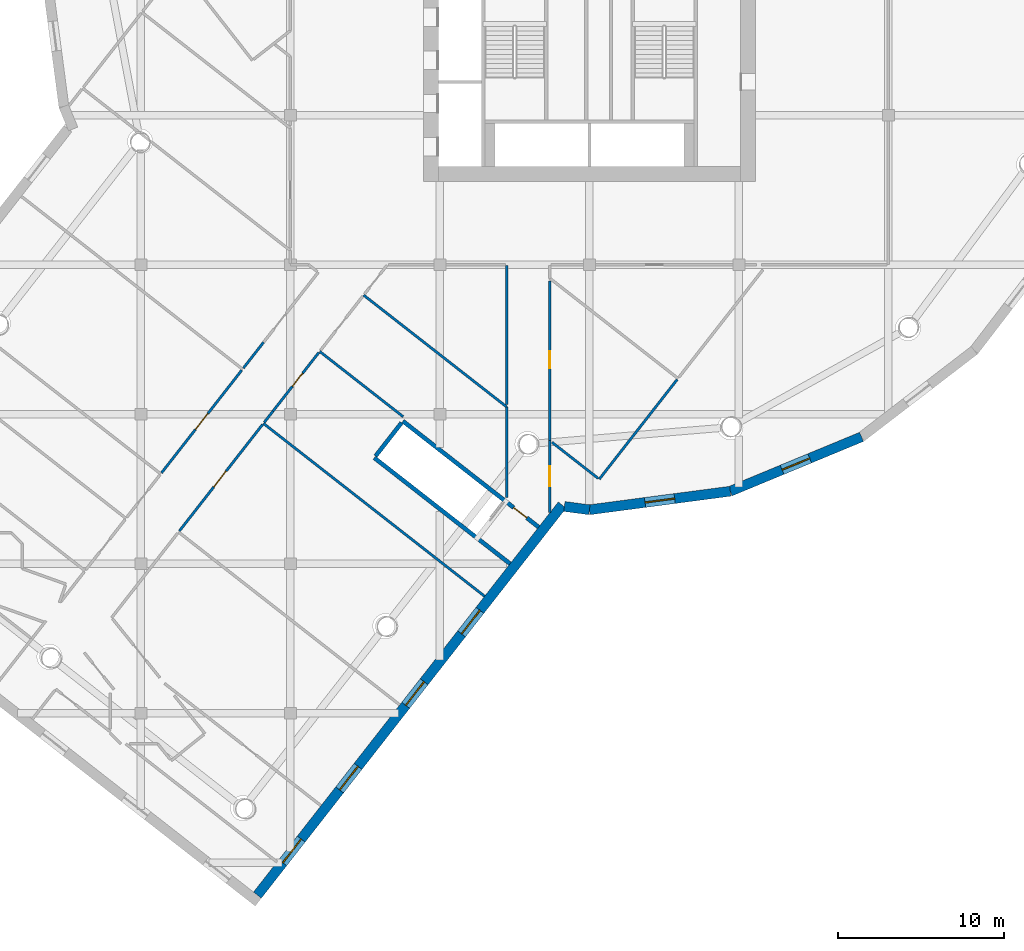
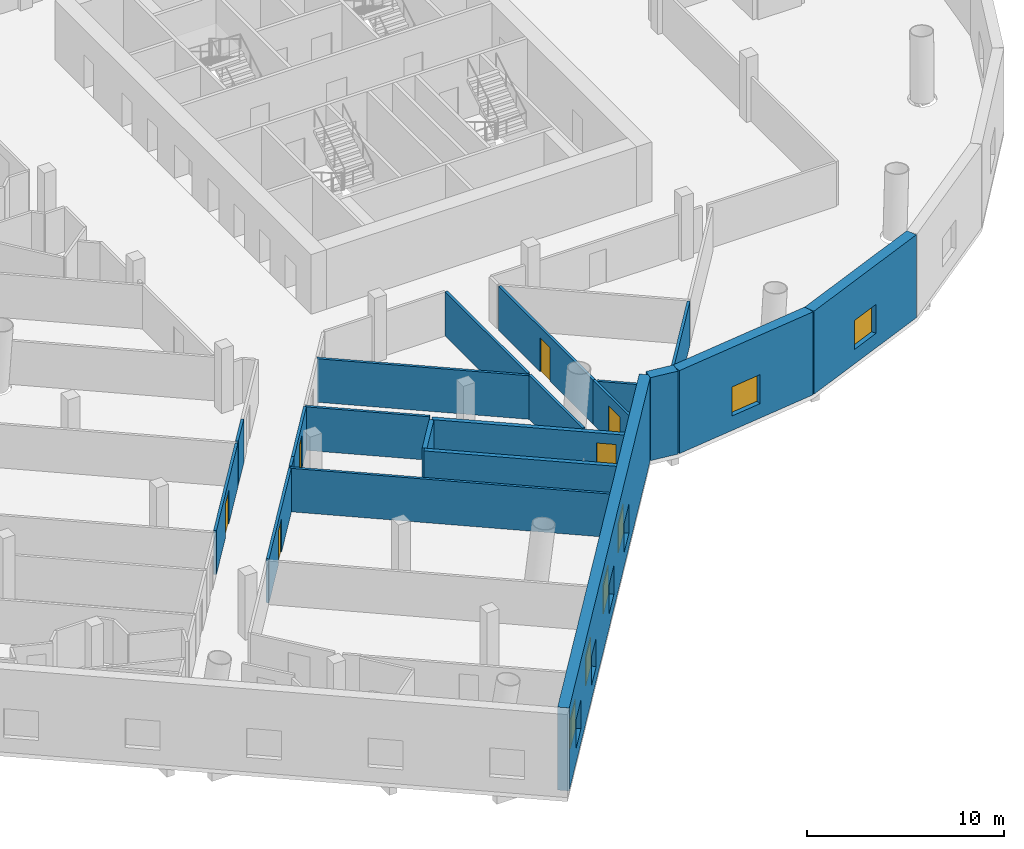
# One storey, part 5 of 15: 21 walls, 6 doors, 6 windows, 12 openings.
"""IFC4 building model written with IfcOpenShell, lengths in metres."""

import ifcopenshell
import ifcopenshell.guid

model = None  # the IFC model being written
_history = None  # IfcOwnerHistory: only IFC2X3 demands one
_inside = {}  # id of a spatial element -> (the spatial element, [elements in it])
_under = {}  # id of a project, library or spatial element -> (it, [spatial elements below it])
_declared = {}  # id of a project -> (the project, [libraries it declares])
_typed = {}  # id of a type object -> (the type object, [elements of that type])
_made_of = {}  # id of a material, layer set ... -> (it, [elements and type objects made of it])


def new_model(schema):
    """Start an empty IFC model of exactly this schema.

    Asked for "IFC4X3", IfcOpenShell would pick the latest addendum, in which some entities
    have other attributes; the version numbers below select the first issue.
    IFC2X3 requires an IfcOwnerHistory on every rooted entity: one is made here for all.
    """
    global model, _history
    if schema == "IFC4X3":
        model = ifcopenshell.file(schema_version=(4, 3, 0, 0))
    else:
        model = ifcopenshell.file(schema=schema)
    _inside.clear()
    _under.clear()
    _declared.clear()
    _typed.clear()
    _made_of.clear()
    _history = None
    if model.schema == "IFC2X3":
        org = make("IfcOrganization", Name="unknown")
        user = make(
            "IfcPersonAndOrganization",
            ThePerson=make("IfcPerson", FamilyName="unknown"),
            TheOrganization=org,
        )
        app = make(
            "IfcApplication",
            ApplicationDeveloper=org,
            Version="unknown",
            ApplicationFullName="unknown",
            ApplicationIdentifier="unknown",
        )
        _history = make(
            "IfcOwnerHistory",
            OwningUser=user,
            OwningApplication=app,
            ChangeAction="ADDED",
            CreationDate=0,
        )
    return model


def make(cls, **values):
    """One entity of the class cls with the attributes given. An attribute that is None is left unset."""
    return model.create_entity(
        cls, **{name: value for name, value in values.items() if value is not None}
    )


def rooted(cls, **values):
    """An entity with a GlobalId (a new one), such as an element, a storey or a relation."""
    return make(cls, GlobalId=ifcopenshell.guid.new(), OwnerHistory=_history, **values)


def si_unit(unit_type, name, prefix=None):
    """IfcSIUnit, for example si_unit("LENGTHUNIT", "METRE", prefix="MILLI")."""
    return make("IfcSIUnit", UnitType=unit_type, Prefix=prefix, Name=name)


def assignment(units):
    """IfcUnitAssignment: the units of a project."""
    return None if units is None else make("IfcUnitAssignment", Units=units)


def point(xyz):
    """IfcCartesianPoint."""
    return None if xyz is None else make("IfcCartesianPoint", Coordinates=xyz)


def direction(xyz):
    """IfcDirection."""
    return None if xyz is None else make("IfcDirection", DirectionRatios=xyz)


def frame(location, z_axis=None, x_axis=None):
    """IfcAxis2Placement3D, a coordinate frame: its origin and axes. An axis left out is left unset."""
    return make(
        "IfcAxis2Placement3D",
        Location=point(location),
        Axis=direction(z_axis),
        RefDirection=direction(x_axis),
    )


def frame_2d(location, x_axis=None):
    """IfcAxis2Placement2D, a coordinate frame in the plane: its origin and x axis."""
    return make(
        "IfcAxis2Placement2D", Location=point(location), RefDirection=direction(x_axis)
    )


def origin():
    """The frame at (0, 0, 0) with its axes left unset."""
    return frame((0.0, 0.0, 0.0))


def place(relative_to, where):
    """IfcLocalPlacement: puts the frame where relative to a parent placement (None: the world)."""
    return make(
        "IfcLocalPlacement", PlacementRelTo=relative_to, RelativePlacement=where
    )


def context(
    kind, dimensions, precision=None, world=None, true_north=None, identifier=None
):
    """IfcGeometricRepresentationContext, for example the 3D "Model" context."""
    return make(
        "IfcGeometricRepresentationContext",
        ContextIdentifier=identifier,
        ContextType=kind,
        CoordinateSpaceDimension=dimensions,
        Precision=precision,
        WorldCoordinateSystem=world,
        TrueNorth=true_north,
    )


def subcontext(parent, identifier, kind, view, scale=None):
    """IfcGeometricRepresentationSubContext, for example "Body" below "Model"."""
    return make(
        "IfcGeometricRepresentationSubContext",
        ContextIdentifier=identifier,
        ContextType=kind,
        ParentContext=parent,
        TargetScale=scale,
        TargetView=view,
    )


def project(units=None, contexts=None):
    """IfcProject with its units and contexts."""
    return rooted(
        "IfcProject",
        Name="project",
        RepresentationContexts=contexts,
        UnitsInContext=assignment(units),
    )


def spatial(cls, under=None, at=None, **own):
    """A site, building, storey or space (cls), placed at a placement, below another one or the project."""
    s = rooted(cls, ObjectPlacement=at, **own)
    if under is not None:
        _under.setdefault(under.id(), (under, []))[1].append(s)
    return s


def profile(cls, at=None, kind="AREA", **sizes):
    """A parametric profile (cls). Its sizes go by their IFC names, for example OverallWidth=200.0."""
    return make(cls, ProfileType=kind, Position=at, **sizes)


def rectangle(**sizes):
    """IfcRectangleProfileDef."""
    return profile("IfcRectangleProfileDef", **sizes)


def extrude(swept, where, along, depth):
    """IfcExtrudedAreaSolid: the profile swept, set in the frame where, extruded along a direction by depth."""
    return make(
        "IfcExtrudedAreaSolid",
        SweptArea=swept,
        Position=where,
        ExtrudedDirection=direction(along),
        Depth=depth,
    )


def shape(context_of_items, identifier, shape_type, items):
    """IfcShapeRepresentation: the items that make up one representation, for example the "Body"."""
    return make(
        "IfcShapeRepresentation",
        ContextOfItems=context_of_items,
        RepresentationIdentifier=identifier,
        RepresentationType=shape_type,
        Items=items,
    )


def material(Name=None, Category=None):
    """IfcMaterial."""
    return make("IfcMaterial", Name=Name, Category=Category)


def layer(
    of_material, thickness, ventilated=None, Name=None, Category=None, Priority=None
):
    """IfcMaterialLayer: one layer of a wall or slab, of a material (None: an air gap)."""
    return make(
        "IfcMaterialLayer",
        Material=of_material,
        LayerThickness=thickness,
        IsVentilated=ventilated,
        Name=Name,
        Category=Category,
        Priority=Priority,
    )


def layer_set(layers, Name=None):
    """IfcMaterialLayerSet."""
    return make("IfcMaterialLayerSet", MaterialLayers=layers, LayerSetName=Name)


def made_of(thing, what):
    """Note that an element or type object is made of a material, layer set ...; save() writes the relation."""
    if what is not None:
        _made_of.setdefault(what.id(), (what, []))[1].append(thing)
    return thing


def type_object(cls, material=None, **own):
    """A type object (cls), such as IfcWallType, which elements share."""
    return made_of(rooted(cls, **own), material)


def element(
    cls,
    number,
    at=None,
    inside=None,
    cuts=None,
    type_object=None,
    material=None,
    context=None,
    identifier="Body",
    shape_type=None,
    held_by="IfcProductDefinitionShape",
    body=None,
    shapes=None,
    **own,
):
    """One element of the class cls, such as IfcWall. Its Tag is "e" and its number.

    at: its placement. inside: the storey or other place that contains it. cuts: it is an
    opening in that element (IfcRelVoidsElement). A single representation is given by context,
    identifier, shape_type and body (its items); several are given by shapes. held_by: the class
    of the entity that holds the representations. save() writes the other relations.
    """
    e = rooted(cls, Tag="e%d" % number, ObjectPlacement=at, **own)
    if body is not None:
        shapes = [shape(context, identifier, shape_type, body)]
    if shapes is not None:
        e.Representation = make(held_by, Representations=shapes)
    if inside is not None:
        _inside.setdefault(inside.id(), (inside, []))[1].append(e)
    if cuts is not None:
        rooted(
            "IfcRelVoidsElement", RelatingBuildingElement=cuts, RelatedOpeningElement=e
        )
    if type_object is not None:
        _typed.setdefault(type_object.id(), (type_object, []))[1].append(e)
    return made_of(e, material)


def fill(opening, filler):
    """IfcRelFillsElement: the door or window that sits in an opening."""
    return rooted(
        "IfcRelFillsElement",
        RelatingOpeningElement=opening,
        RelatedBuildingElement=filler,
    )


def aggregate(whole, parts):
    """IfcRelAggregates: a whole, such as a stair, and the parts it consists of."""
    return rooted("IfcRelAggregates", RelatingObject=whole, RelatedObjects=parts)


def save(model, path):
    """Write the relations noted so far, then the file.

    IfcRelAggregates (storeys below a building ...), IfcRelContainedInSpatialStructure (elements
    in a storey), IfcRelDefinesByType, IfcRelAssociatesMaterial and IfcRelDeclares: one each for
    every whole, place, type object, material and project.
    """
    for whole, parts in _under.values():
        aggregate(whole, parts)
    for where, things in _inside.values():
        rooted(
            "IfcRelContainedInSpatialStructure",
            RelatedElements=things,
            RelatingStructure=where,
        )
    for kind, things in _typed.values():
        rooted("IfcRelDefinesByType", RelatedObjects=things, RelatingType=kind)
    for what, things in _made_of.values():
        rooted("IfcRelAssociatesMaterial", RelatedObjects=things, RelatingMaterial=what)
    for by, libraries in _declared.values():
        rooted("IfcRelDeclares", RelatingContext=by, RelatedDefinitions=libraries)
    model.write(path)


model = new_model("IFC4")

# Units and contexts
model_context = context("Model", 3, precision=1e-05, world=origin(), true_north=direction((0.0, 1.0)))
body_context = subcontext(model_context, "Body", "Model", "MODEL_VIEW")
ifc_project = project(units=[si_unit("LENGTHUNIT", "METRE"), si_unit("AREAUNIT", "SQUARE_METRE"), si_unit("VOLUMEUNIT", "CUBIC_METRE"), si_unit("PLANEANGLEUNIT", "RADIAN"), si_unit("MASSUNIT", "GRAM", prefix="KILO")], contexts=[model_context])

# Site, building, storey
site_placement = place(None, origin())
site = spatial("IfcSite", under=ifc_project, at=site_placement, CompositionType="ELEMENT")
building_placement = place(site_placement, origin())
building = spatial("IfcBuilding", under=site, at=building_placement, Name="Tarsis Ring Headquarters", CompositionType="ELEMENT")
storey_placement = place(building_placement, frame((0.0, 0.0, 30.0)))
storey = spatial("IfcBuildingStorey", under=building, at=storey_placement, Name="L05", CompositionType="ELEMENT", Elevation=30.0)

# Walls
ifc_material_1 = material(Name="Plasterboard partition")
ifc_layer_1 = layer(ifc_material_1, 0.14990234375)
ifc_layer_set_1 = layer_set([ifc_layer_1], Name="PO-PW150")
wall_type_1 = type_object("IfcWallType", Name="PO-PW150", PredefinedType="PARTITIONING", material=ifc_layer_set_1)
wall_1_placement = place(storey_placement, frame((-19.62744140625, -27.558349609375, 0.0), z_axis=(0.0, 0.0, 1.0), x_axis=(0.788014736946, -0.61565637685, 0.0)))
element("IfcWall", 1, at=wall_1_placement, inside=storey, type_object=wall_type_1, Name="L05 partition wall 3", PredefinedType="PARTITIONING", context=body_context, shape_type="SweptSolid", body=[
    extrude(rectangle(XDim=16.89990234375, YDim=0.14990234375, at=frame_2d((8.449951171875, 0.0))), origin(), (0.0, 0.0, 1.0), 2.699951171875),
])
wall_2_placement = place(storey_placement, frame((-13.59375, -19.835693359375, 0.0), z_axis=(0.0, 0.0, 1.0), x_axis=(0.788011845372, -0.615660077928, 0.0)))
element("IfcWall", 2, at=wall_2_placement, inside=storey, type_object=wall_type_1, Name="L05 partition wall 21", PredefinedType="PARTITIONING", context=body_context, shape_type="SweptSolid", body=[
    extrude(rectangle(XDim=10.931396484375, YDim=0.14990234375, at=frame_2d((5.4658203125, 0.0))), origin(), (0.0, 0.0, 1.0), 2.699951171875),
])
wall_3_placement = place(storey_placement, frame((0.59033203125, -30.917724609375, 0.0), z_axis=(0.0, 0.0, 1.0), x_axis=(0.615667046272, 0.788006401075, 0.0)))
element("IfcWall", 3, at=wall_3_placement, inside=storey, type_object=wall_type_1, Name="L05 partition wall 48", PredefinedType="PARTITIONING", context=body_context, shape_type="SweptSolid", body=[
    extrude(rectangle(XDim=7.6201171875, YDim=0.14990234375, at=frame_2d((3.81005859375, 0.0))), origin(), (0.0, 0.0, 1.0), 2.699951171875),
])
wall_4_placement = place(storey_placement, frame((-11.212890625, -27.15283203125, 0.0), z_axis=(0.0, 0.0, 1.0), x_axis=(-0.787998851046, 0.615676709605, 0.0)))
element("IfcWall", 4, at=wall_4_placement, inside=storey, type_object=wall_type_1, Name="L05 partition wall 56", PredefinedType="PARTITIONING", context=body_context, shape_type="SweptSolid", body=[
    extrude(rectangle(XDim=6.381103515625, YDim=0.14990234375, at=frame_2d((3.1904296875, 0.0))), origin(), (0.0, 0.0, 1.0), 2.699951171875),
])
wall_5_placement = place(storey_placement, frame((-2.253662109375, -28.695556640625, 0.0), z_axis=(0.0, 0.0, 1.0), x_axis=(0.787998153612, -0.615677602243, 0.0)))
element("IfcWall", 5, at=wall_5_placement, inside=storey, type_object=wall_type_1, Name="L05 partition wall 92", PredefinedType="PARTITIONING", context=body_context, shape_type="SweptSolid", body=[
    extrude(rectangle(XDim=3.529296875, YDim=0.14990234375, at=frame_2d((1.7646484375, 0.0))), origin(), (0.0, 0.0, 1.0), 2.699951171875),
])

# Wall, opening, door
ifc_layer_2 = layer(ifc_material_1, 0.14990234375)
ifc_layer_set_2 = layer_set([ifc_layer_2], Name="PO-PW150R-2733")
wall_type_2 = type_object("IfcWallType", Name="PO-PW150R-2733", PredefinedType="PARTITIONING", material=ifc_layer_set_2)
wall_6_placement = place(storey_placement, frame((-2.3798828125, -18.985595703125, 0.0), z_axis=(0.0, 0.0, 1.0), x_axis=(0.0, -1.0, 0.0)))
wall_6 = element("IfcWall", 6, at=wall_6_placement, inside=storey, type_object=wall_type_2, Name="L05 partition wall 34", PredefinedType="PARTITIONING", context=body_context, shape_type="SweptSolid", body=[
    extrude(rectangle(XDim=9.611572265625, YDim=0.14990234375, at=frame_2d((4.8056640625, 0.0))), origin(), (0.0, 0.0, 1.0), 2.73291015625),
])
opening_1_placement = place(wall_6_placement, frame((4.238525390625, 0.0, 0.0)))
opening_1 = element("IfcOpeningElement", 7, at=opening_1_placement, cuts=wall_6, Name="Opening PO-D1", PredefinedType="OPENING", context=body_context, shape_type="SweptSolid", body=[
    extrude(rectangle(XDim=1.0, YDim=2.10009765625, at=frame_2d((0.5, 1.050048828125))), frame((0.0, 0.0849609375, 0.0), z_axis=(0.0, -1.0, 0.0), x_axis=(1.0, 0.0, 0.0)), (0.0, 0.0, 1.0), 0.169921875),
])
ifc_material_2 = material(Name="Timber door", Category="wood")
door_type_1 = type_object("IfcDoorType", Name="PO-D1000", OperationType="NOTDEFINED", PredefinedType="DOOR", material=ifc_material_2)
door_1_placement = place(opening_1_placement, origin())
door_1 = element("IfcDoor", 8, at=door_1_placement, inside=storey, type_object=door_type_1, Name="Women's prayer hall door", OperationType="SINGLE_SWING_LEFT", OverallHeight=2.10009765625, OverallWidth=1.0, PredefinedType="DOOR", context=body_context, shape_type="SweptSolid", body=[
    extrude(rectangle(XDim=1.0, YDim=2.10009765625, at=frame_2d((0.5, 1.050048828125))), frame((0.0, 0.02490234375, 0.0), z_axis=(0.0, -1.0, 0.0), x_axis=(1.0, 0.0, 0.0)), (0.0, 0.0, 1.0), 0.050048828125),
])
fill(opening_1, door_1)

# Wall
wall_7_placement = place(storey_placement, frame((-4.979736328125, -26.40576171875, 0.0), z_axis=(0.0, 0.0, 1.0), x_axis=(0.0, 1.0, 0.0)))
element("IfcWall", 9, at=wall_7_placement, inside=storey, type_object=wall_type_2, Name="L05 partition wall 39", PredefinedType="PARTITIONING", context=body_context, shape_type="SweptSolid", body=[
    extrude(rectangle(XDim=8.36572265625, YDim=0.14990234375, at=frame_2d((4.182861328125, 0.0))), origin(), (0.0, 0.0, 1.0), 2.73291015625),
])

# Wall, opening, door
wall_8_placement = place(storey_placement, frame((-19.676513671875, -27.621337890625, 0.0), z_axis=(0.0, 0.0, 1.0), x_axis=(-0.615666741104, -0.788006639501, 0.0)))
wall_8 = element("IfcWall", 10, at=wall_8_placement, inside=storey, type_object=wall_type_2, Name="L05 partition wall 43", PredefinedType="PARTITIONING", context=body_context, shape_type="SweptSolid", body=[
    extrude(rectangle(XDim=8.139892578125, YDim=0.14990234375, at=frame_2d((4.06982421875, 0.0))), origin(), (0.0, 0.0, 1.0), 2.73291015625),
])
opening_2_placement = place(wall_8_placement, frame((3.570068359375, 0.0, 0.0)))
opening_2 = element("IfcOpeningElement", 11, at=opening_2_placement, cuts=wall_8, Name="Opening PO-D2", PredefinedType="OPENING", context=body_context, shape_type="SweptSolid", body=[
    extrude(rectangle(XDim=1.199951171875, YDim=2.10009765625, at=frame_2d((0.60009765625, 1.050048828125))), frame((0.0, 0.0849609375, 0.0), z_axis=(0.0, -1.0, 0.0), x_axis=(1.0, 0.0, 0.0)), (0.0, 0.0, 1.0), 0.169921875),
])
door_type_2 = type_object("IfcDoorType", Name="PO-D1200", OperationType="NOTDEFINED", PredefinedType="DOOR", material=ifc_material_2)
door_2_placement = place(opening_2_placement, origin())
door_2 = element("IfcDoor", 12, at=door_2_placement, inside=storey, type_object=door_type_2, Name="Men's prayer hall door", OperationType="SINGLE_SWING_RIGHT", OverallHeight=2.10009765625, OverallWidth=1.199951171875, PredefinedType="DOOR", context=body_context, shape_type="SweptSolid", body=[
    extrude(rectangle(XDim=1.199951171875, YDim=2.10009765625, at=frame_2d((0.60009765625, 1.050048828125))), frame((0.0, 0.02490234375, 0.0), z_axis=(0.0, -1.0, 0.0), x_axis=(1.0, 0.0, 0.0)), (0.0, 0.0, 1.0), 0.050048828125),
])
fill(opening_2, door_2)

wall_9_placement = place(storey_placement, frame((-25.75927734375, -30.533935546875, 0.0), z_axis=(0.0, 0.0, 1.0), x_axis=(0.615672443529, 0.788002184184, 0.0)))
wall_9 = element("IfcWall", 13, at=wall_9_placement, inside=storey, type_object=wall_type_2, Name="L05 partition wall 47", PredefinedType="PARTITIONING", context=body_context, shape_type="SweptSolid", body=[
    extrude(rectangle(XDim=7.840087890625, YDim=0.14990234375, at=frame_2d((3.919921875, 0.0))), origin(), (0.0, 0.0, 1.0), 2.73291015625),
])
opening_3_placement = place(wall_9_placement, frame((3.320068359375, 0.0, 0.0)))
opening_3 = element("IfcOpeningElement", 14, at=opening_3_placement, cuts=wall_9, Name="Opening PO-D2", PredefinedType="OPENING", context=body_context, shape_type="SweptSolid", body=[
    extrude(rectangle(XDim=1.199951171875, YDim=2.10009765625, at=frame_2d((0.60009765625, 1.050048828125))), frame((0.0, 0.0849609375, 0.0), z_axis=(0.0, -1.0, 0.0), x_axis=(1.0, 0.0, 0.0)), (0.0, 0.0, 1.0), 0.169921875),
])
door_3_placement = place(opening_3_placement, origin())
door_3 = element("IfcDoor", 15, at=door_3_placement, inside=storey, type_object=door_type_2, Name="Women's prayer hall door", OperationType="SINGLE_SWING_LEFT", OverallHeight=2.10009765625, OverallWidth=1.199951171875, PredefinedType="DOOR", context=body_context, shape_type="SweptSolid", body=[
    extrude(rectangle(XDim=1.199951171875, YDim=2.10009765625, at=frame_2d((0.60009765625, 1.050048828125))), frame((0.0, 0.02490234375, 0.0), z_axis=(0.0, -1.0, 0.0), x_axis=(1.0, 0.0, 0.0)), (0.0, 0.0, 1.0), 0.050048828125),
])
fill(opening_3, door_3)

# Wall
wall_10_placement = place(storey_placement, frame((-4.979736328125, -32.014404296875, 0.0), z_axis=(0.0, 0.0, 1.0), x_axis=(0.0, 1.0, 0.0)))
element("IfcWall", 16, at=wall_10_placement, inside=storey, type_object=wall_type_2, Name="L05 partition wall 67", PredefinedType="PARTITIONING", context=body_context, shape_type="SweptSolid", body=[
    extrude(rectangle(XDim=5.44873046875, YDim=0.14990234375, at=frame_2d((2.724365234375, 0.0))), origin(), (0.0, 0.0, 1.0), 2.73291015625),
])

# Wall, opening, door
wall_11_placement = place(storey_placement, frame((-16.29052734375, -23.287353515625, 0.0), z_axis=(0.0, 0.0, 1.0), x_axis=(-0.615666239032, -0.788007031768, 0.0)))
wall_11 = element("IfcWall", 17, at=wall_11_placement, inside=storey, type_object=wall_type_2, Name="L05 partition wall 75", PredefinedType="PARTITIONING", context=body_context, shape_type="SweptSolid", body=[
    extrude(rectangle(XDim=4.482177734375, YDim=0.14990234375, at=frame_2d((2.2412109375, 0.0))), origin(), (0.0, 0.0, 1.0), 2.73291015625),
])
opening_4_placement = place(wall_11_placement, frame((1.590087890625, 0.0, 0.0)))
opening_4 = element("IfcOpeningElement", 18, at=opening_4_placement, cuts=wall_11, Name="Opening PO-D1", PredefinedType="OPENING", context=body_context, shape_type="SweptSolid", body=[
    extrude(rectangle(XDim=1.0, YDim=2.10009765625, at=frame_2d((0.5, 1.050048828125))), frame((0.0, 0.0849609375, 0.0), z_axis=(0.0, -1.0, 0.0), x_axis=(1.0, 0.0, 0.0)), (0.0, 0.0, 1.0), 0.169921875),
])
door_4_placement = place(opening_4_placement, origin())
door_4 = element("IfcDoor", 19, at=door_4_placement, inside=storey, type_object=door_type_1, Name="Prayer storage door", OperationType="SINGLE_SWING_LEFT", OverallHeight=2.10009765625, OverallWidth=1.0, PredefinedType="DOOR", context=body_context, shape_type="SweptSolid", body=[
    extrude(rectangle(XDim=1.0, YDim=2.10009765625, at=frame_2d((0.5, 1.050048828125))), frame((0.0, 0.02490234375, 0.0), z_axis=(0.0, -1.0, 0.0), x_axis=(1.0, 0.0, 0.0)), (0.0, 0.0, 1.0), 0.050048828125),
])
fill(opening_4, door_4)

wall_12_placement = place(storey_placement, frame((-2.3798828125, -28.598388671875, 0.0), z_axis=(0.0, 0.0, 1.0), x_axis=(0.0, -1.0, 0.0)))
wall_12 = element("IfcWall", 20, at=wall_12_placement, inside=storey, type_object=wall_type_2, Name="L05 partition wall 79", PredefinedType="PARTITIONING", context=body_context, shape_type="SweptSolid", body=[
    extrude(rectangle(XDim=4.334228515625, YDim=0.14990234375, at=frame_2d((2.1669921875, 0.0))), origin(), (0.0, 0.0, 1.0), 2.73291015625),
])
opening_5_placement = place(wall_12_placement, frame((1.548583984375, 0.0, 0.0)))
opening_5 = element("IfcOpeningElement", 21, at=opening_5_placement, cuts=wall_12, Name="Opening PO-D2", PredefinedType="OPENING", context=body_context, shape_type="SweptSolid", body=[
    extrude(rectangle(XDim=1.199951171875, YDim=2.10009765625, at=frame_2d((0.60009765625, 1.050048828125))), frame((0.0, 0.0849609375, 0.0), z_axis=(0.0, -1.0, 0.0), x_axis=(1.0, 0.0, 0.0)), (0.0, 0.0, 1.0), 0.169921875),
])
door_5_placement = place(opening_5_placement, origin())
door_5 = element("IfcDoor", 22, at=door_5_placement, inside=storey, type_object=door_type_2, Name="Chiller room door", OperationType="SINGLE_SWING_RIGHT", OverallHeight=2.10009765625, OverallWidth=1.199951171875, PredefinedType="DOOR", context=body_context, shape_type="SweptSolid", body=[
    extrude(rectangle(XDim=1.199951171875, YDim=2.10009765625, at=frame_2d((0.60009765625, 1.050048828125))), frame((0.0, 0.02490234375, 0.0), z_axis=(0.0, -1.0, 0.0), x_axis=(1.0, 0.0, 0.0)), (0.0, 0.0, 1.0), 0.050048828125),
])
fill(opening_5, door_5)

# Walls
wall_13_placement = place(storey_placement, frame((-20.833984375, -24.229736328125, 0.0), z_axis=(0.0, 0.0, 1.0), x_axis=(0.615696918611, 0.787983060994, 0.0)))
element("IfcWall", 23, at=wall_13_placement, inside=storey, type_object=wall_type_2, Name="L05 partition wall 137", PredefinedType="PARTITIONING", context=body_context, shape_type="SweptSolid", body=[
    extrude(rectangle(XDim=1.97119140625, YDim=0.14990234375, at=frame_2d((0.985595703125, 0.0))), origin(), (0.0, 0.0, 1.0), 2.73291015625),
])
wall_14_placement = place(storey_placement, frame((-19.050048828125, -26.8193359375, 0.0), z_axis=(0.0, 0.0, 1.0), x_axis=(-0.615732424371, -0.787955316994, 0.0)))
element("IfcWall", 24, at=wall_14_placement, inside=storey, type_object=wall_type_2, Name="L05 partition wall 175", PredefinedType="PARTITIONING", context=body_context, shape_type="SweptSolid", body=[
    extrude(rectangle(XDim=0.857666015625, YDim=0.14990234375, at=frame_2d((0.4287109375, 0.0))), origin(), (0.0, 0.0, 1.0), 2.73291015625),
])

# Wall, opening, door
ifc_material_3 = material(Name="Concrete C40/50", Category="concrete")
ifc_layer_3 = layer(ifc_material_3, 0.25)
ifc_layer_set_3 = layer_set([ifc_layer_3], Name="PO-W250")
wall_type_3 = type_object("IfcWallType", Name="PO-W250", PredefinedType="SOLIDWALL", material=ifc_layer_set_3)
wall_15_placement = place(storey_placement, frame((-11.23193359375, -27.41943359375, 0.0), z_axis=(0.0, 0.0, 1.0), x_axis=(0.788273447376, -0.615325094696, 0.0)))
wall_15 = element("IfcWall", 25, at=wall_15_placement, inside=storey, type_object=wall_type_3, Name="L05 shaft wall 24", PredefinedType="SOLIDWALL", context=body_context, shape_type="SweptSolid", body=[
    extrude(rectangle(XDim=10.369873046875, YDim=0.25, at=frame_2d((5.18505859375, 0.0))), origin(), (0.0, 0.0, 1.0), 2.72998046875),
])
opening_6_placement = place(wall_15_placement, frame((8.465087890625, 0.0, 0.0)))
opening_6 = element("IfcOpeningElement", 26, at=opening_6_placement, cuts=wall_15, Name="Opening PO-D3", PredefinedType="OPENING", context=body_context, shape_type="SweptSolid", body=[
    extrude(rectangle(XDim=1.0, YDim=2.10009765625, at=frame_2d((0.5, 1.050048828125))), frame((0.0, 0.135009765625, 0.0), z_axis=(0.0, -1.0, 0.0), x_axis=(1.0, 0.0, 0.0)), (0.0, 0.0, 1.0), 0.27001953125),
])
ifc_material_4 = material(Name="Steel fire door", Category="steel")
door_type_3 = type_object("IfcDoorType", Name="PO-D1000F", OperationType="SINGLE_SWING_LEFT", PredefinedType="DOOR", material=ifc_material_4)
door_6_placement = place(opening_6_placement, origin())
door_6 = element("IfcDoor", 27, at=door_6_placement, inside=storey, type_object=door_type_3, Name="Exit stair 2 door", OperationType="SINGLE_SWING_LEFT", OverallHeight=2.10009765625, OverallWidth=1.0, PredefinedType="DOOR", context=body_context, shape_type="SweptSolid", body=[
    extrude(rectangle(XDim=1.0, YDim=2.10009765625, at=frame_2d((0.5, 1.050048828125))), frame((0.0, 0.02490234375, 0.0), z_axis=(0.0, -1.0, 0.0), x_axis=(1.0, 0.0, 0.0)), (0.0, 0.0, 1.0), 0.050048828125),
])
fill(opening_6, door_6)

# Walls
wall_16_placement = place(storey_placement, frame((-4.781494140625, -36.006591796875, 0.0), z_axis=(0.0, 0.0, 1.0), x_axis=(-0.788283470415, 0.615312254283, 0.0)))
element("IfcWall", 28, at=wall_16_placement, inside=storey, type_object=wall_type_3, Name="L05 shaft wall 26", PredefinedType="SOLIDWALL", context=body_context, shape_type="SweptSolid", body=[
    extrude(rectangle(XDim=10.368408203125, YDim=0.25, at=frame_2d((5.18408203125, 0.0))), origin(), (0.0, 0.0, 1.0), 2.72998046875),
])
wall_17_placement = place(storey_placement, frame((-12.875, -29.524169921875, 0.0), z_axis=(0.0, 0.0, 1.0), x_axis=(0.615343695919, 0.788258926935, 0.0)))
element("IfcWall", 29, at=wall_17_placement, inside=storey, type_object=wall_type_3, Name="L05 shaft wall 112", PredefinedType="SOLIDWALL", context=body_context, shape_type="SweptSolid", body=[
    extrude(rectangle(XDim=2.5400390625, YDim=0.25, at=frame_2d((1.27001953125, 0.0))), origin(), (0.0, 0.0, 1.0), 2.72998046875),
])

# Wall, openings, windows
ifc_material_5 = material(Name="Concrete C60/75", Category="concrete")
ifc_layer_4 = layer(ifc_material_5, 0.60009765625)
ifc_layer_set_4 = layer_set([ifc_layer_4], Name="PO-W600P")
wall_type_4 = type_object("IfcWallType", Name="PO-W600P", PredefinedType="SOLIDWALL", material=ifc_layer_set_4)
wall_18_placement = place(storey_placement, frame((-19.987548828125, -55.956787109375, 0.0), z_axis=(0.0, 0.0, 1.0), x_axis=(0.615659303268, 0.7880124506, 0.0)))
wall_18 = element("IfcWall", 30, at=wall_18_placement, inside=storey, type_object=wall_type_4, Name="L05 external wall 8", PredefinedType="SOLIDWALL", context=body_context, shape_type="SweptSolid", body=[
    extrude(rectangle(XDim=29.802001953125, YDim=0.60009765625, at=frame_2d((14.90087890625, 0.0))), origin(), (0.0, 0.0, 1.0), 5.14990234375),
])
opening_7_placement = place(wall_18_placement, frame((2.480224609375, 0.0, 0.89990234375)))
opening_7 = element("IfcOpeningElement", 31, at=opening_7_placement, cuts=wall_18, Name="Opening PO-WN147", PredefinedType="OPENING", context=body_context, shape_type="SweptSolid", body=[
    extrude(rectangle(XDim=1.800048828125, YDim=1.802978515625, at=frame_2d((0.89990234375, 0.9013671875))), frame((0.0, 0.31005859375, 0.0), z_axis=(0.0, -1.0, 0.0), x_axis=(1.0, 0.0, 0.0)), (0.0, 0.0, 1.0), 0.6201171875),
])
opening_8_placement = place(wall_18_placement, frame((8.04052734375, 0.0, 0.89990234375)))
opening_8 = element("IfcOpeningElement", 32, at=opening_8_placement, cuts=wall_18, Name="Opening PO-WN147", PredefinedType="OPENING", context=body_context, shape_type="SweptSolid", body=[
    extrude(rectangle(XDim=1.800048828125, YDim=1.802978515625, at=frame_2d((0.89990234375, 0.9013671875))), frame((0.0, 0.31005859375, 0.0), z_axis=(0.0, -1.0, 0.0), x_axis=(1.0, 0.0, 0.0)), (0.0, 0.0, 1.0), 0.6201171875),
])
opening_9_placement = place(wall_18_placement, frame((14.5009765625, 0.0, 0.89990234375)))
opening_9 = element("IfcOpeningElement", 33, at=opening_9_placement, cuts=wall_18, Name="Opening PO-WN147", PredefinedType="OPENING", context=body_context, shape_type="SweptSolid", body=[
    extrude(rectangle(XDim=1.800048828125, YDim=1.802978515625, at=frame_2d((0.89990234375, 0.9013671875))), frame((0.0, 0.31005859375, 0.0), z_axis=(0.0, -1.0, 0.0), x_axis=(1.0, 0.0, 0.0)), (0.0, 0.0, 1.0), 0.6201171875),
])
opening_10_placement = place(wall_18_placement, frame((19.96142578125, 0.0, 0.89990234375)))
opening_10 = element("IfcOpeningElement", 34, at=opening_10_placement, cuts=wall_18, Name="Opening PO-WN147", PredefinedType="OPENING", context=body_context, shape_type="SweptSolid", body=[
    extrude(rectangle(XDim=1.800048828125, YDim=1.802978515625, at=frame_2d((0.89990234375, 0.9013671875))), frame((0.0, 0.31005859375, 0.0), z_axis=(0.0, -1.0, 0.0), x_axis=(1.0, 0.0, 0.0)), (0.0, 0.0, 1.0), 0.6201171875),
])
ifc_material_6 = material(Name="Double glazing", Category="glass")
window_type = type_object("IfcWindowType", Name="PO-WN1800-1803", PartitioningType="SINGLE_PANEL", PredefinedType="WINDOW", material=ifc_material_6)
window_1_placement = place(opening_7_placement, origin())
window_1 = element("IfcWindow", 35, at=window_1_placement, inside=storey, type_object=window_type, Name="L05 window 8.1", OverallHeight=1.802978515625, OverallWidth=1.800048828125, PartitioningType="SINGLE_PANEL", PredefinedType="WINDOW", context=body_context, shape_type="SweptSolid", body=[
    extrude(rectangle(XDim=1.800048828125, YDim=1.802978515625, at=frame_2d((0.89990234375, 0.9013671875))), frame((0.0, 0.030029296875, 0.0), z_axis=(0.0, -1.0, 0.0), x_axis=(1.0, 0.0, 0.0)), (0.0, 0.0, 1.0), 0.06005859375),
])
fill(opening_7, window_1)
window_2_placement = place(opening_8_placement, origin())
window_2 = element("IfcWindow", 36, at=window_2_placement, inside=storey, type_object=window_type, Name="L05 window 8.2", OverallHeight=1.802978515625, OverallWidth=1.800048828125, PartitioningType="SINGLE_PANEL", PredefinedType="WINDOW", context=body_context, shape_type="SweptSolid", body=[
    extrude(rectangle(XDim=1.800048828125, YDim=1.802978515625, at=frame_2d((0.89990234375, 0.9013671875))), frame((0.0, 0.030029296875, 0.0), z_axis=(0.0, -1.0, 0.0), x_axis=(1.0, 0.0, 0.0)), (0.0, 0.0, 1.0), 0.06005859375),
])
fill(opening_8, window_2)
window_3_placement = place(opening_9_placement, origin())
window_3 = element("IfcWindow", 37, at=window_3_placement, inside=storey, type_object=window_type, Name="L05 window 8.3", OverallHeight=1.802978515625, OverallWidth=1.800048828125, PartitioningType="SINGLE_PANEL", PredefinedType="WINDOW", context=body_context, shape_type="SweptSolid", body=[
    extrude(rectangle(XDim=1.800048828125, YDim=1.802978515625, at=frame_2d((0.89990234375, 0.9013671875))), frame((0.0, 0.030029296875, 0.0), z_axis=(0.0, -1.0, 0.0), x_axis=(1.0, 0.0, 0.0)), (0.0, 0.0, 1.0), 0.06005859375),
])
fill(opening_9, window_3)
window_4_placement = place(opening_10_placement, origin())
window_4 = element("IfcWindow", 38, at=window_4_placement, inside=storey, type_object=window_type, Name="L05 window 8.4", OverallHeight=1.802978515625, OverallWidth=1.800048828125, PartitioningType="SINGLE_PANEL", PredefinedType="WINDOW", context=body_context, shape_type="SweptSolid", body=[
    extrude(rectangle(XDim=1.800048828125, YDim=1.802978515625, at=frame_2d((0.89990234375, 0.9013671875))), frame((0.0, 0.030029296875, 0.0), z_axis=(0.0, -1.0, 0.0), x_axis=(1.0, 0.0, 0.0)), (0.0, 0.0, 1.0), 0.06005859375),
])
fill(opening_10, window_4)

# Wall
wall_19_placement = place(storey_placement, frame((-1.510498046875, -32.55908203125, 0.0), z_axis=(0.0, 0.0, 1.0), x_axis=(0.991455931764, -0.130442076686, 0.0)))
element("IfcWall", 39, at=wall_19_placement, inside=storey, type_object=wall_type_4, Name="L05 external wall 9", PredefinedType="SOLIDWALL", context=body_context, shape_type="SweptSolid", body=[
    extrude(rectangle(XDim=1.5234375, YDim=0.60009765625, at=frame_2d((0.76171875, 0.0))), origin(), (0.0, 0.0, 1.0), 5.14990234375),
])

# Wall, opening, window
wall_20_placement = place(storey_placement, frame((0.0, -32.7578125, 0.0), z_axis=(0.0, 0.0, 1.0), x_axis=(0.991444478179, 0.130529102837, 0.0)))
wall_20 = element("IfcWall", 40, at=wall_20_placement, inside=storey, type_object=wall_type_4, Name="L05 external wall 10", PredefinedType="SOLIDWALL", context=body_context, shape_type="SweptSolid", body=[
    extrude(rectangle(XDim=8.551513671875, YDim=0.60009765625, at=frame_2d((4.27587890625, 0.0))), origin(), (0.0, 0.0, 1.0), 5.14990234375),
])
opening_11_placement = place(wall_20_placement, frame((3.375732421875, 0.0, 0.89990234375)))
opening_11 = element("IfcOpeningElement", 41, at=opening_11_placement, cuts=wall_20, Name="Opening PO-WN147", PredefinedType="OPENING", context=body_context, shape_type="SweptSolid", body=[
    extrude(rectangle(XDim=1.800048828125, YDim=1.802978515625, at=frame_2d((0.89990234375, 0.9013671875))), frame((0.0, 0.31005859375, 0.0), z_axis=(0.0, -1.0, 0.0), x_axis=(1.0, 0.0, 0.0)), (0.0, 0.0, 1.0), 0.6201171875),
])
window_5_placement = place(opening_11_placement, origin())
window_5 = element("IfcWindow", 42, at=window_5_placement, inside=storey, type_object=window_type, Name="L05 window 10.1", OverallHeight=1.802978515625, OverallWidth=1.800048828125, PartitioningType="SINGLE_PANEL", PredefinedType="WINDOW", context=body_context, shape_type="SweptSolid", body=[
    extrude(rectangle(XDim=1.800048828125, YDim=1.802978515625, at=frame_2d((0.89990234375, 0.9013671875))), frame((0.0, 0.030029296875, 0.0), z_axis=(0.0, -1.0, 0.0), x_axis=(1.0, 0.0, 0.0)), (0.0, 0.0, 1.0), 0.06005859375),
])
fill(opening_11, window_5)

wall_21_placement = place(storey_placement, frame((8.478271484375, -31.6416015625, 0.0), z_axis=(0.0, 0.0, 1.0), x_axis=(0.923883217595, 0.382674535665, 0.0)))
wall_21 = element("IfcWall", 43, at=wall_21_placement, inside=storey, type_object=wall_type_4, Name="L05 external wall 11", PredefinedType="SOLIDWALL", context=body_context, shape_type="SweptSolid", body=[
    extrude(rectangle(XDim=8.551513671875, YDim=0.60009765625, at=frame_2d((4.27587890625, 0.0))), origin(), (0.0, 0.0, 1.0), 5.14990234375),
])
opening_12_placement = place(wall_21_placement, frame((3.375732421875, 0.0, 0.89990234375)))
opening_12 = element("IfcOpeningElement", 44, at=opening_12_placement, cuts=wall_21, Name="Opening PO-WN147", PredefinedType="OPENING", context=body_context, shape_type="SweptSolid", body=[
    extrude(rectangle(XDim=1.800048828125, YDim=1.802978515625, at=frame_2d((0.89990234375, 0.9013671875))), frame((0.0, 0.31005859375, 0.0), z_axis=(0.0, -1.0, 0.0), x_axis=(1.0, 0.0, 0.0)), (0.0, 0.0, 1.0), 0.6201171875),
])
window_6_placement = place(opening_12_placement, origin())
window_6 = element("IfcWindow", 45, at=window_6_placement, inside=storey, type_object=window_type, Name="L05 window 11.1", OverallHeight=1.802978515625, OverallWidth=1.800048828125, PartitioningType="SINGLE_PANEL", PredefinedType="WINDOW", context=body_context, shape_type="SweptSolid", body=[
    extrude(rectangle(XDim=1.800048828125, YDim=1.802978515625, at=frame_2d((0.89990234375, 0.9013671875))), frame((0.0, 0.030029296875, 0.0), z_axis=(0.0, -1.0, 0.0), x_axis=(1.0, 0.0, 0.0)), (0.0, 0.0, 1.0), 0.06005859375),
])
fill(opening_12, window_6)

save(model, "model.ifc")
